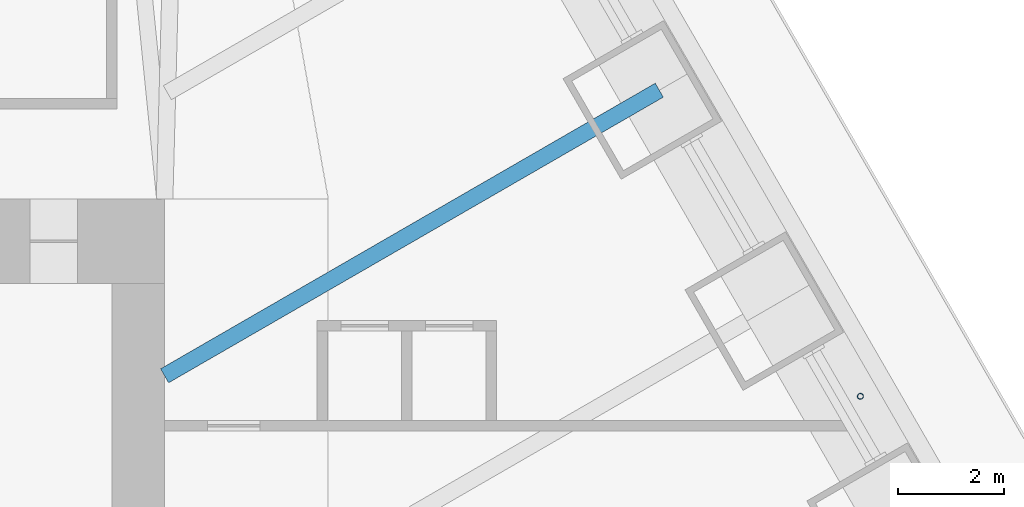
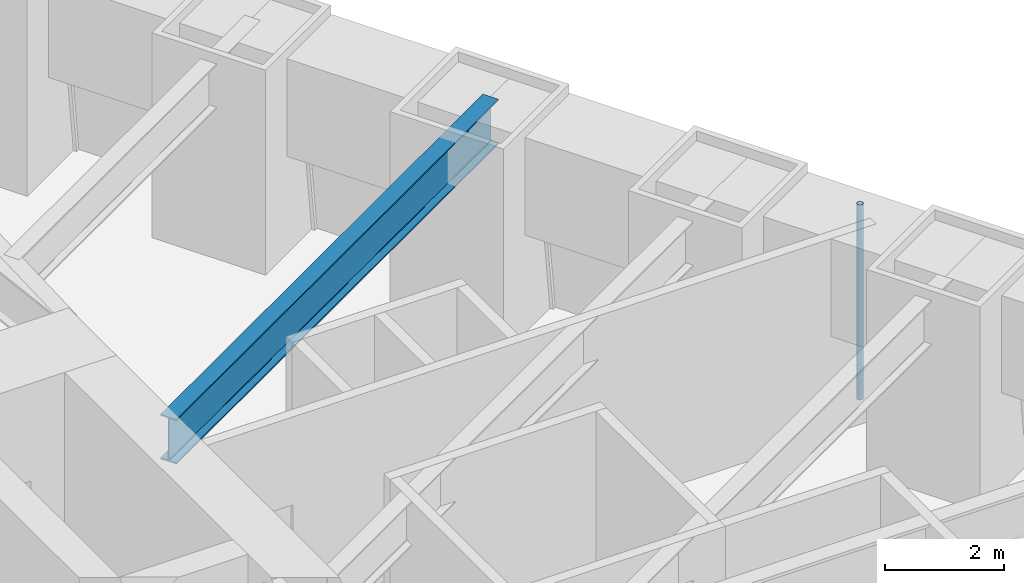
# One storey, part 10 of 20: 1 beam, 1 member.
"""IFC4 building model written with IfcOpenShell, lengths in metres."""

from ifc_helpers import new_model, si_unit, direction, frame, origin, origin_2d, place, context, subcontext, project, spatial, hollow_circle, i_section, extrude, material, material_profile, profile_set, type_object, element, save


model = new_model("IFC4")

# Units and contexts
model_context = context("Model", 3, precision=1e-05, world=origin(), true_north=direction((0.0, 1.0)))
body_context = subcontext(model_context, "Body", "Model", "MODEL_VIEW")
ifc_project = project(units=[si_unit("LENGTHUNIT", "METRE"), si_unit("AREAUNIT", "SQUARE_METRE"), si_unit("VOLUMEUNIT", "CUBIC_METRE"), si_unit("PLANEANGLEUNIT", "RADIAN"), si_unit("MASSUNIT", "GRAM", prefix="KILO")], contexts=[model_context])

# Site, building, storey
site_placement = place(None, origin())
site = spatial("IfcSite", under=ifc_project, at=site_placement, CompositionType="ELEMENT")
building_placement = place(site_placement, origin())
building = spatial("IfcBuilding", under=site, at=building_placement, Name="Tarfa Lantern Tower", CompositionType="ELEMENT")
storey_placement = place(building_placement, frame((0.0, 0.0, 215.5)))
storey = spatial("IfcBuildingStorey", under=building, at=storey_placement, Name="L48", CompositionType="ELEMENT", Elevation=215.5)

# Member
ifc_material_1 = material(Name="Steel S355", Category="steel")
ifc_material_profile_1 = material_profile(ifc_material_1, hollow_circle(Radius=0.05712890625, WallThickness=0.00634765625, at=origin_2d()), Name="CHS114.3x6.3")
ifc_profile_set_1 = profile_set([ifc_material_profile_1], Name="Steel S355")
member_type = type_object("IfcMemberType", Name="TR1 GREEN WALL TRELLIS CHS114.3x6.3", PredefinedType="USERDEFINED", material=ifc_profile_set_1)
member_placement = place(storey_placement, frame((28.682861328125, 8.56005859375, 0.0), z_axis=(0.0, 0.0, 1.0), x_axis=(1.0, 0.0, 0.0)))
element("IfcMember", 1, at=member_placement, inside=storey, type_object=member_type, Name="Trellis post NE 1", ObjectType="TRELLIS", PredefinedType="USERDEFINED", context=body_context, shape_type="SweptSolid", body=[
    extrude(hollow_circle(Radius=0.05712890625, WallThickness=0.00634765625, at=origin_2d()), origin(), (0.0, 0.0, 1.0), 4.0),
])

# Beam
ifc_material_2 = material(Name="Steel S460M", Category="steel")
ifc_material_profile_2 = material_profile(ifc_material_2, i_section(OverallWidth=0.305419921875, OverallDepth=0.91845703125, WebThickness=0.017333984375, FlangeThickness=0.02783203125, FilletRadius=0.01904296875, at=origin_2d()), Name="UB914x305x253")
ifc_profile_set_2 = profile_set([ifc_material_profile_2], Name="Steel S460M")
beam_type = type_object("IfcBeamType", Name="UB914x305x253", PredefinedType="BEAM", material=ifc_profile_set_2)
beam_placement = place(storey_placement, frame((24.872314453125, 14.360107421875, 3.540771484375), z_axis=(-0.8660244219, -0.500001700669, 0.0), x_axis=(0.500001700669, -0.8660244219, 0.0)))
element("IfcBeam", 2, at=beam_placement, inside=storey, type_object=beam_type, Name="Floor beam NE3", PredefinedType="BEAM", context=body_context, shape_type="SweptSolid", body=[
    extrude(i_section(OverallWidth=0.305419921875, OverallDepth=0.91845703125, WebThickness=0.017333984375, FlangeThickness=0.02783203125, FilletRadius=0.01904296875, at=origin_2d()), origin(), (0.0, 0.0, 1.0), 10.822265625),
])

save(model, "model.ifc")
